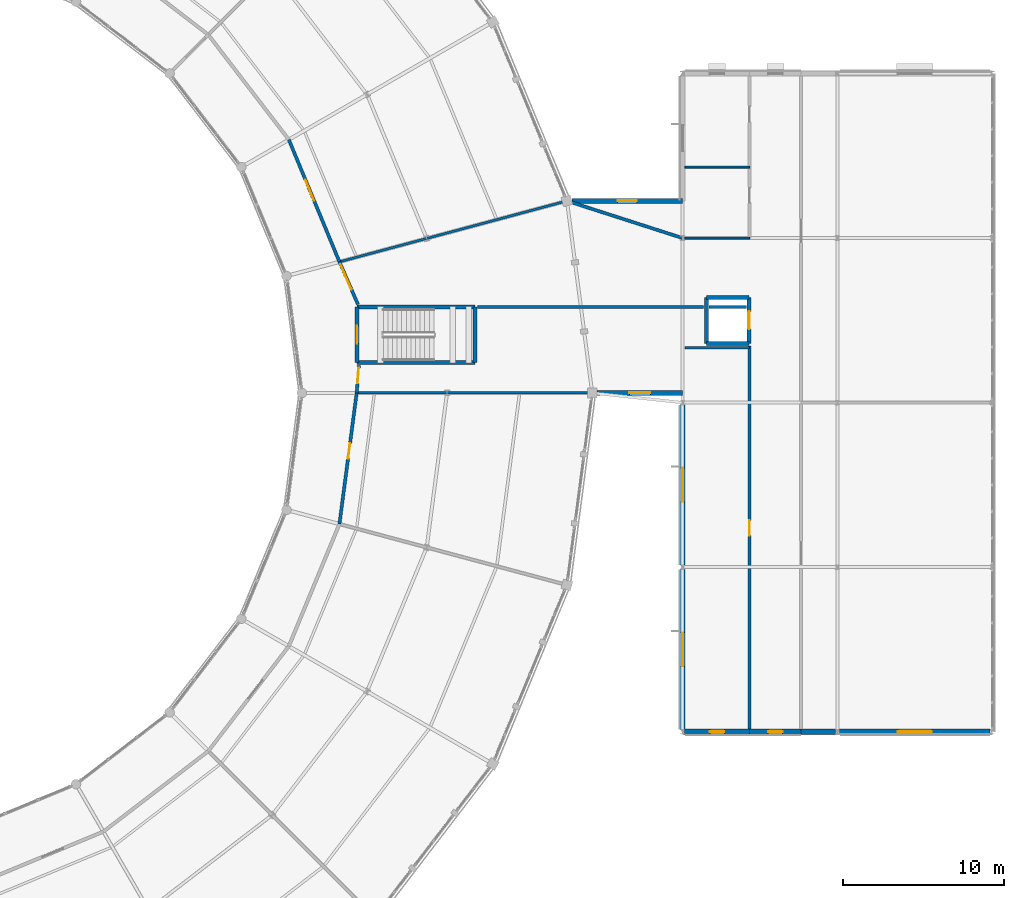
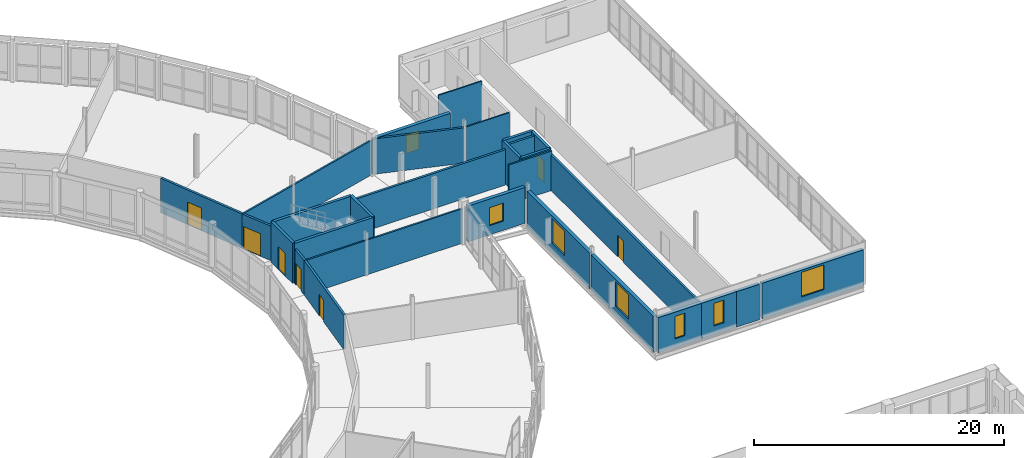
# One storey, part 148 of 170: 29 walls, 7 doors, 7 windows, 14 openings.
"""IFC4 building model written with IfcOpenShell, lengths in metres."""

import ifcopenshell
import ifcopenshell.guid

model = None  # the IFC model being written
_history = None  # IfcOwnerHistory: only IFC2X3 demands one
_inside = {}  # id of a spatial element -> (the spatial element, [elements in it])
_under = {}  # id of a project, library or spatial element -> (it, [spatial elements below it])
_declared = {}  # id of a project -> (the project, [libraries it declares])
_typed = {}  # id of a type object -> (the type object, [elements of that type])
_made_of = {}  # id of a material, layer set ... -> (it, [elements and type objects made of it])


def new_model(schema):
    """Start an empty IFC model of exactly this schema.

    Asked for "IFC4X3", IfcOpenShell would pick the latest addendum, in which some entities
    have other attributes; the version numbers below select the first issue.
    IFC2X3 requires an IfcOwnerHistory on every rooted entity: one is made here for all.
    """
    global model, _history
    if schema == "IFC4X3":
        model = ifcopenshell.file(schema_version=(4, 3, 0, 0))
    else:
        model = ifcopenshell.file(schema=schema)
    _inside.clear()
    _under.clear()
    _declared.clear()
    _typed.clear()
    _made_of.clear()
    _history = None
    if model.schema == "IFC2X3":
        org = make("IfcOrganization", Name="unknown")
        user = make(
            "IfcPersonAndOrganization",
            ThePerson=make("IfcPerson", FamilyName="unknown"),
            TheOrganization=org,
        )
        app = make(
            "IfcApplication",
            ApplicationDeveloper=org,
            Version="unknown",
            ApplicationFullName="unknown",
            ApplicationIdentifier="unknown",
        )
        _history = make(
            "IfcOwnerHistory",
            OwningUser=user,
            OwningApplication=app,
            ChangeAction="ADDED",
            CreationDate=0,
        )
    return model


def make(cls, **values):
    """One entity of the class cls with the attributes given. An attribute that is None is left unset."""
    return model.create_entity(
        cls, **{name: value for name, value in values.items() if value is not None}
    )


def rooted(cls, **values):
    """An entity with a GlobalId (a new one), such as an element, a storey or a relation."""
    return make(cls, GlobalId=ifcopenshell.guid.new(), OwnerHistory=_history, **values)


def si_unit(unit_type, name, prefix=None):
    """IfcSIUnit, for example si_unit("LENGTHUNIT", "METRE", prefix="MILLI")."""
    return make("IfcSIUnit", UnitType=unit_type, Prefix=prefix, Name=name)


def assignment(units):
    """IfcUnitAssignment: the units of a project."""
    return None if units is None else make("IfcUnitAssignment", Units=units)


def point(xyz):
    """IfcCartesianPoint."""
    return None if xyz is None else make("IfcCartesianPoint", Coordinates=xyz)


def direction(xyz):
    """IfcDirection."""
    return None if xyz is None else make("IfcDirection", DirectionRatios=xyz)


def frame(location, z_axis=None, x_axis=None):
    """IfcAxis2Placement3D, a coordinate frame: its origin and axes. An axis left out is left unset."""
    return make(
        "IfcAxis2Placement3D",
        Location=point(location),
        Axis=direction(z_axis),
        RefDirection=direction(x_axis),
    )


def frame_2d(location, x_axis=None):
    """IfcAxis2Placement2D, a coordinate frame in the plane: its origin and x axis."""
    return make(
        "IfcAxis2Placement2D", Location=point(location), RefDirection=direction(x_axis)
    )


def origin():
    """The frame at (0, 0, 0) with its axes left unset."""
    return frame((0.0, 0.0, 0.0))


def place(relative_to, where):
    """IfcLocalPlacement: puts the frame where relative to a parent placement (None: the world)."""
    return make(
        "IfcLocalPlacement", PlacementRelTo=relative_to, RelativePlacement=where
    )


def context(
    kind, dimensions, precision=None, world=None, true_north=None, identifier=None
):
    """IfcGeometricRepresentationContext, for example the 3D "Model" context."""
    return make(
        "IfcGeometricRepresentationContext",
        ContextIdentifier=identifier,
        ContextType=kind,
        CoordinateSpaceDimension=dimensions,
        Precision=precision,
        WorldCoordinateSystem=world,
        TrueNorth=true_north,
    )


def subcontext(parent, identifier, kind, view, scale=None):
    """IfcGeometricRepresentationSubContext, for example "Body" below "Model"."""
    return make(
        "IfcGeometricRepresentationSubContext",
        ContextIdentifier=identifier,
        ContextType=kind,
        ParentContext=parent,
        TargetScale=scale,
        TargetView=view,
    )


def project(units=None, contexts=None):
    """IfcProject with its units and contexts."""
    return rooted(
        "IfcProject",
        Name="project",
        RepresentationContexts=contexts,
        UnitsInContext=assignment(units),
    )


def spatial(cls, under=None, at=None, **own):
    """A site, building, storey or space (cls), placed at a placement, below another one or the project."""
    s = rooted(cls, ObjectPlacement=at, **own)
    if under is not None:
        _under.setdefault(under.id(), (under, []))[1].append(s)
    return s


def profile(cls, at=None, kind="AREA", **sizes):
    """A parametric profile (cls). Its sizes go by their IFC names, for example OverallWidth=200.0."""
    return make(cls, ProfileType=kind, Position=at, **sizes)


def rectangle(**sizes):
    """IfcRectangleProfileDef."""
    return profile("IfcRectangleProfileDef", **sizes)


def extrude(swept, where, along, depth):
    """IfcExtrudedAreaSolid: the profile swept, set in the frame where, extruded along a direction by depth."""
    return make(
        "IfcExtrudedAreaSolid",
        SweptArea=swept,
        Position=where,
        ExtrudedDirection=direction(along),
        Depth=depth,
    )


def shape(context_of_items, identifier, shape_type, items):
    """IfcShapeRepresentation: the items that make up one representation, for example the "Body"."""
    return make(
        "IfcShapeRepresentation",
        ContextOfItems=context_of_items,
        RepresentationIdentifier=identifier,
        RepresentationType=shape_type,
        Items=items,
    )


def material(Name=None, Category=None):
    """IfcMaterial."""
    return make("IfcMaterial", Name=Name, Category=Category)


def layer(
    of_material, thickness, ventilated=None, Name=None, Category=None, Priority=None
):
    """IfcMaterialLayer: one layer of a wall or slab, of a material (None: an air gap)."""
    return make(
        "IfcMaterialLayer",
        Material=of_material,
        LayerThickness=thickness,
        IsVentilated=ventilated,
        Name=Name,
        Category=Category,
        Priority=Priority,
    )


def layer_set(layers, Name=None):
    """IfcMaterialLayerSet."""
    return make("IfcMaterialLayerSet", MaterialLayers=layers, LayerSetName=Name)


def made_of(thing, what):
    """Note that an element or type object is made of a material, layer set ...; save() writes the relation."""
    if what is not None:
        _made_of.setdefault(what.id(), (what, []))[1].append(thing)
    return thing


def type_object(cls, material=None, **own):
    """A type object (cls), such as IfcWallType, which elements share."""
    return made_of(rooted(cls, **own), material)


def element(
    cls,
    number,
    at=None,
    inside=None,
    cuts=None,
    type_object=None,
    material=None,
    context=None,
    identifier="Body",
    shape_type=None,
    held_by="IfcProductDefinitionShape",
    body=None,
    shapes=None,
    **own,
):
    """One element of the class cls, such as IfcWall. Its Tag is "e" and its number.

    at: its placement. inside: the storey or other place that contains it. cuts: it is an
    opening in that element (IfcRelVoidsElement). A single representation is given by context,
    identifier, shape_type and body (its items); several are given by shapes. held_by: the class
    of the entity that holds the representations. save() writes the other relations.
    """
    e = rooted(cls, Tag="e%d" % number, ObjectPlacement=at, **own)
    if body is not None:
        shapes = [shape(context, identifier, shape_type, body)]
    if shapes is not None:
        e.Representation = make(held_by, Representations=shapes)
    if inside is not None:
        _inside.setdefault(inside.id(), (inside, []))[1].append(e)
    if cuts is not None:
        rooted(
            "IfcRelVoidsElement", RelatingBuildingElement=cuts, RelatedOpeningElement=e
        )
    if type_object is not None:
        _typed.setdefault(type_object.id(), (type_object, []))[1].append(e)
    return made_of(e, material)


def fill(opening, filler):
    """IfcRelFillsElement: the door or window that sits in an opening."""
    return rooted(
        "IfcRelFillsElement",
        RelatingOpeningElement=opening,
        RelatedBuildingElement=filler,
    )


def aggregate(whole, parts):
    """IfcRelAggregates: a whole, such as a stair, and the parts it consists of."""
    return rooted("IfcRelAggregates", RelatingObject=whole, RelatedObjects=parts)


def save(model, path):
    """Write the relations noted so far, then the file.

    IfcRelAggregates (storeys below a building ...), IfcRelContainedInSpatialStructure (elements
    in a storey), IfcRelDefinesByType, IfcRelAssociatesMaterial and IfcRelDeclares: one each for
    every whole, place, type object, material and project.
    """
    for whole, parts in _under.values():
        aggregate(whole, parts)
    for where, things in _inside.values():
        rooted(
            "IfcRelContainedInSpatialStructure",
            RelatedElements=things,
            RelatingStructure=where,
        )
    for kind, things in _typed.values():
        rooted("IfcRelDefinesByType", RelatedObjects=things, RelatingType=kind)
    for what, things in _made_of.values():
        rooted("IfcRelAssociatesMaterial", RelatedObjects=things, RelatingMaterial=what)
    for by, libraries in _declared.values():
        rooted("IfcRelDeclares", RelatingContext=by, RelatedDefinitions=libraries)
    model.write(path)


model = new_model("IFC4")

# Units and contexts
model_context = context("Model", 3, precision=1e-05, world=origin(), true_north=direction((0.0, 1.0)))
body_context = subcontext(model_context, "Body", "Model", "MODEL_VIEW")
ifc_project = project(units=[si_unit("LENGTHUNIT", "METRE"), si_unit("AREAUNIT", "SQUARE_METRE"), si_unit("VOLUMEUNIT", "CUBIC_METRE"), si_unit("PLANEANGLEUNIT", "RADIAN"), si_unit("MASSUNIT", "GRAM", prefix="KILO")], contexts=[model_context])

# Site, building, storey
site_placement = place(None, origin())
site = spatial("IfcSite", under=ifc_project, at=site_placement, CompositionType="ELEMENT")
building_placement = place(site_placement, origin())
building = spatial("IfcBuilding", under=site, at=building_placement, Name="Vondelvale Polytechnic", CompositionType="ELEMENT")
storey_placement = place(building_placement, frame((0.0, 0.0, 5.39990234375)))
storey = spatial("IfcBuildingStorey", under=building, at=storey_placement, Name="L01", CompositionType="ELEMENT", Elevation=5.39990234375)

# Wall, opening, window
ifc_material_1 = material(Name="Amsterdam School iron-spot clinker clay brickwork", Category="masonry")
ifc_layer_1 = layer(ifc_material_1, 0.320068359375)
ifc_layer_set_1 = layer_set([ifc_layer_1], Name="WL-BRICK-320")
wall_type_1 = type_object("IfcWallType", Name="WL-BRICK-320", PredefinedType="SOLIDWALL", material=ifc_layer_set_1)
wall_1_placement = place(storey_placement, frame((157.75, 51.0, 0.0), z_axis=(0.0, 0.0, 1.0), x_axis=(-1.0, 0.0, 0.0)))
wall_1 = element("IfcWall", 1, at=wall_1_placement, inside=storey, type_object=wall_type_1, Name="L01 exterior masonry facade wall", PredefinedType="SOLIDWALL", context=body_context, shape_type="SweptSolid", body=[
    extrude(rectangle(XDim=4.01904296875, YDim=0.320068359375, at=frame_2d((2.009521484375, 0.0))), origin(), (0.0, 0.0, 1.0), 3.460205078125),
])
opening_1_placement = place(wall_1_placement, frame((1.5595703125, 0.0, 0.85009765625)))
opening_1 = element("IfcOpeningElement", 2, at=opening_1_placement, cuts=wall_1, Name="Opening WN-0472", PredefinedType="OPENING", context=body_context, shape_type="SweptSolid", body=[
    extrude(rectangle(XDim=0.89990234375, YDim=2.199951171875, at=frame_2d((0.449951171875, 1.10009765625))), frame((0.0, 0.169921875, 0.0), z_axis=(0.0, -1.0, 0.0), x_axis=(1.0, 0.0, 0.0)), (0.0, 0.0, 1.0), 0.340087890625),
])
ifc_material_2 = material(Name="Double-glazed low-E insulated architectural glass", Category="glass")
window_type_1 = type_object("IfcWindowType", Name="WN-TUR-0900x2200", PartitioningType="SINGLE_PANEL", PredefinedType="WINDOW", material=ifc_material_2)
window_1_placement = place(opening_1_placement, origin())
window_1 = element("IfcWindow", 3, at=window_1_placement, inside=storey, type_object=window_type_1, Name="L01 double-glazed architectural window WN-0472", OverallHeight=2.199951171875, OverallWidth=0.89990234375, PartitioningType="SINGLE_PANEL", PredefinedType="WINDOW", context=body_context, shape_type="SweptSolid", body=[
    extrude(rectangle(XDim=0.89990234375, YDim=2.199951171875, at=frame_2d((0.449951171875, 1.10009765625))), frame((0.0, 0.030029296875, 0.0), z_axis=(0.0, -1.0, 0.0), x_axis=(1.0, 0.0, 0.0)), (0.0, 0.0, 1.0), 0.06005859375),
])
fill(opening_1, window_1)

wall_2_placement = place(storey_placement, frame((160.949951171875, 51.0, 0.0), z_axis=(0.0, 0.0, 1.0), x_axis=(-1.0, 0.0, 0.0)))
wall_2 = element("IfcWall", 4, at=wall_2_placement, inside=storey, type_object=wall_type_1, Name="L01 exterior masonry facade wall", PredefinedType="SOLIDWALL", context=body_context, shape_type="SweptSolid", body=[
    extrude(rectangle(XDim=3.199951171875, YDim=0.320068359375, at=frame_2d((1.60009765625, 0.0))), origin(), (0.0, 0.0, 1.0), 3.460205078125),
])
opening_2_placement = place(wall_2_placement, frame((1.14990234375, 0.0, 0.85009765625)))
opening_2 = element("IfcOpeningElement", 5, at=opening_2_placement, cuts=wall_2, Name="Opening WN-0473", PredefinedType="OPENING", context=body_context, shape_type="SweptSolid", body=[
    extrude(rectangle(XDim=0.89990234375, YDim=2.199951171875, at=frame_2d((0.449951171875, 1.10009765625))), frame((0.0, 0.169921875, 0.0), z_axis=(0.0, -1.0, 0.0), x_axis=(1.0, 0.0, 0.0)), (0.0, 0.0, 1.0), 0.340087890625),
])
window_2_placement = place(opening_2_placement, origin())
window_2 = element("IfcWindow", 6, at=window_2_placement, inside=storey, type_object=window_type_1, Name="L01 double-glazed architectural window WN-0473", OverallHeight=2.199951171875, OverallWidth=0.89990234375, PartitioningType="SINGLE_PANEL", PredefinedType="WINDOW", context=body_context, shape_type="SweptSolid", body=[
    extrude(rectangle(XDim=0.89990234375, YDim=2.199951171875, at=frame_2d((0.449951171875, 1.10009765625))), frame((0.0, 0.030029296875, 0.0), z_axis=(0.0, -1.0, 0.0), x_axis=(1.0, 0.0, 0.0)), (0.0, 0.0, 1.0), 0.06005859375),
])
fill(opening_2, window_2)

wall_3_placement = place(storey_placement, frame((172.6689453125, 51.0, 0.0), z_axis=(0.0, 0.0, 1.0), x_axis=(-1.0, 0.0, 0.0)))
wall_3 = element("IfcWall", 7, at=wall_3_placement, inside=storey, type_object=wall_type_1, Name="L01 exterior masonry facade wall", PredefinedType="SOLIDWALL", context=body_context, shape_type="SweptSolid", body=[
    extrude(rectangle(XDim=9.337890625, YDim=0.320068359375, at=frame_2d((4.6689453125, 0.0))), origin(), (0.0, 0.0, 1.0), 3.460205078125),
])
opening_3_placement = place(wall_3_placement, frame((3.618896484375, 0.0, 0.85009765625)))
opening_3 = element("IfcOpeningElement", 8, at=opening_3_placement, cuts=wall_3, Name="Opening WN-0474", PredefinedType="OPENING", context=body_context, shape_type="SweptSolid", body=[
    extrude(rectangle(XDim=2.10009765625, YDim=2.39990234375, at=frame_2d((1.050048828125, 1.199951171875))), frame((0.0, 0.169921875, 0.0), z_axis=(0.0, -1.0, 0.0), x_axis=(1.0, 0.0, 0.0)), (0.0, 0.0, 1.0), 0.340087890625),
])
window_type_2 = type_object("IfcWindowType", Name="WN-STUDIO-2100x2400", PartitioningType="SINGLE_PANEL", PredefinedType="WINDOW", material=ifc_material_2)
window_3_placement = place(opening_3_placement, origin())
window_3 = element("IfcWindow", 9, at=window_3_placement, inside=storey, type_object=window_type_2, Name="L01 double-glazed architectural window WN-0474", OverallHeight=2.39990234375, OverallWidth=2.10009765625, PartitioningType="SINGLE_PANEL", PredefinedType="WINDOW", context=body_context, shape_type="SweptSolid", body=[
    extrude(rectangle(XDim=2.10009765625, YDim=2.39990234375, at=frame_2d((1.050048828125, 1.199951171875))), frame((0.0, 0.030029296875, 0.0), z_axis=(0.0, -1.0, 0.0), x_axis=(1.0, 0.0, 0.0)), (0.0, 0.0, 1.0), 0.06005859375),
])
fill(opening_3, window_3)

# Wall
wall_4_placement = place(storey_placement, frame((163.069091796875, 51.0, 0.0), z_axis=(0.0, 0.0, 1.0), x_axis=(-1.0, 0.0, 0.0)))
element("IfcWall", 10, at=wall_4_placement, inside=storey, type_object=wall_type_1, Name="L01 exterior masonry facade wall", PredefinedType="SOLIDWALL", context=body_context, shape_type="SweptSolid", body=[
    extrude(rectangle(XDim=2.119140625, YDim=0.320068359375, at=frame_2d((1.0595703125, 0.0))), origin(), (0.0, 0.0, 1.0), 3.460205078125),
])

# Wall, opening, window
wall_5_placement = place(storey_placement, frame((153.60009765625, 51.131103515625, 0.0), z_axis=(0.0, 0.0, 1.0), x_axis=(0.0, 1.0, 0.0)))
wall_5 = element("IfcWall", 11, at=wall_5_placement, inside=storey, type_object=wall_type_1, Name="L01 exterior masonry facade wall", PredefinedType="SOLIDWALL", context=body_context, shape_type="SweptSolid", body=[
    extrude(rectangle(XDim=9.93798828125, YDim=0.320068359375, at=frame_2d((4.968994140625, 0.0))), origin(), (0.0, 0.0, 1.0), 3.51416015625),
])
opening_4_placement = place(wall_5_placement, frame((3.9189453125, 0.0, 0.85009765625)))
opening_4 = element("IfcOpeningElement", 12, at=opening_4_placement, cuts=wall_5, Name="Opening WN-0475", PredefinedType="OPENING", context=body_context, shape_type="SweptSolid", body=[
    extrude(rectangle(XDim=2.10009765625, YDim=2.39990234375, at=frame_2d((1.050048828125, 1.199951171875))), frame((0.0, 0.169921875, 0.0), z_axis=(0.0, -1.0, 0.0), x_axis=(1.0, 0.0, 0.0)), (0.0, 0.0, 1.0), 0.340087890625),
])
window_4_placement = place(opening_4_placement, origin())
window_4 = element("IfcWindow", 13, at=window_4_placement, inside=storey, type_object=window_type_2, Name="L01 double-glazed architectural window WN-0475", OverallHeight=2.39990234375, OverallWidth=2.10009765625, PartitioningType="SINGLE_PANEL", PredefinedType="WINDOW", context=body_context, shape_type="SweptSolid", body=[
    extrude(rectangle(XDim=2.10009765625, YDim=2.39990234375, at=frame_2d((1.050048828125, 1.199951171875))), frame((0.0, 0.030029296875, 0.0), z_axis=(0.0, -1.0, 0.0), x_axis=(1.0, 0.0, 0.0)), (0.0, 0.0, 1.0), 0.06005859375),
])
fill(opening_4, window_4)

wall_6_placement = place(storey_placement, frame((153.60009765625, 61.3310546875, 0.0), z_axis=(0.0, 0.0, 1.0), x_axis=(0.0, 1.0, 0.0)))
wall_6 = element("IfcWall", 14, at=wall_6_placement, inside=storey, type_object=wall_type_1, Name="L01 exterior masonry facade wall", PredefinedType="SOLIDWALL", context=body_context, shape_type="SweptSolid", body=[
    extrude(rectangle(XDim=9.93798828125, YDim=0.320068359375, at=frame_2d((4.968994140625, 0.0))), origin(), (0.0, 0.0, 1.0), 3.51416015625),
])
opening_5_placement = place(wall_6_placement, frame((3.9189453125, 0.0, 0.85009765625)))
opening_5 = element("IfcOpeningElement", 15, at=opening_5_placement, cuts=wall_6, Name="Opening WN-0476", PredefinedType="OPENING", context=body_context, shape_type="SweptSolid", body=[
    extrude(rectangle(XDim=2.10009765625, YDim=2.39990234375, at=frame_2d((1.050048828125, 1.199951171875))), frame((0.0, 0.169921875, 0.0), z_axis=(0.0, -1.0, 0.0), x_axis=(1.0, 0.0, 0.0)), (0.0, 0.0, 1.0), 0.340087890625),
])
window_5_placement = place(opening_5_placement, origin())
window_5 = element("IfcWindow", 16, at=window_5_placement, inside=storey, type_object=window_type_2, Name="L01 double-glazed architectural window WN-0476", OverallHeight=2.39990234375, OverallWidth=2.10009765625, PartitioningType="SINGLE_PANEL", PredefinedType="WINDOW", context=body_context, shape_type="SweptSolid", body=[
    extrude(rectangle(XDim=2.10009765625, YDim=2.39990234375, at=frame_2d((1.050048828125, 1.199951171875))), frame((0.0, 0.030029296875, 0.0), z_axis=(0.0, -1.0, 0.0), x_axis=(1.0, 0.0, 0.0)), (0.0, 0.0, 1.0), 0.06005859375),
])
fill(opening_5, window_5)

wall_7_placement = place(storey_placement, frame((153.60009765625, 72.0, 0.0), z_axis=(0.0, 0.0, 1.0), x_axis=(-1.0, 0.0, 0.0)))
wall_7 = element("IfcWall", 17, at=wall_7_placement, inside=storey, type_object=wall_type_1, Name="L01 exterior masonry facade wall", PredefinedType="SOLIDWALL", context=body_context, shape_type="SweptSolid", body=[
    extrude(rectangle(XDim=5.299072265625, YDim=0.320068359375, at=frame_2d((2.6494140625, 0.0))), origin(), (0.0, 0.0, 1.0), 3.494140625),
])
opening_6_placement = place(wall_7_placement, frame((1.99951171875, 0.0, 0.89990234375)))
opening_6 = element("IfcOpeningElement", 18, at=opening_6_placement, cuts=wall_7, Name="Opening WN-0478", PredefinedType="OPENING", context=body_context, shape_type="SweptSolid", body=[
    extrude(rectangle(XDim=1.300048828125, YDim=1.75, at=frame_2d((0.64990234375, 0.875))), frame((0.0, 0.169921875, 0.0), z_axis=(0.0, -1.0, 0.0), x_axis=(1.0, 0.0, 0.0)), (0.0, 0.0, 1.0), 0.340087890625),
])
window_type_3 = type_object("IfcWindowType", Name="WN-OFF-1300x1750", PartitioningType="SINGLE_PANEL", PredefinedType="WINDOW", material=ifc_material_2)
window_6_placement = place(opening_6_placement, origin())
window_6 = element("IfcWindow", 19, at=window_6_placement, inside=storey, type_object=window_type_3, Name="L01 double-glazed architectural window WN-0478", OverallHeight=1.75, OverallWidth=1.300048828125, PartitioningType="SINGLE_PANEL", PredefinedType="WINDOW", context=body_context, shape_type="SweptSolid", body=[
    extrude(rectangle(XDim=1.300048828125, YDim=1.75, at=frame_2d((0.64990234375, 0.875))), frame((0.0, 0.030029296875, 0.0), z_axis=(0.0, -1.0, 0.0), x_axis=(1.0, 0.0, 0.0)), (0.0, 0.0, 1.0), 0.06005859375),
])
fill(opening_6, window_6)

wall_8_placement = place(storey_placement, frame((146.744140625, 83.90576171875, 0.0), z_axis=(0.0, 0.0, 1.0), x_axis=(1.0, 0.0, 0.0)))
wall_8 = element("IfcWall", 20, at=wall_8_placement, inside=storey, type_object=wall_type_1, Name="L01 exterior masonry facade wall", PredefinedType="SOLIDWALL", context=body_context, shape_type="SweptSolid", body=[
    extrude(rectangle(XDim=6.85595703125, YDim=0.320068359375, at=frame_2d((3.427978515625, 0.0))), origin(), (0.0, 0.0, 1.0), 3.494140625),
])
opening_7_placement = place(wall_8_placement, frame((2.827880859375, 0.0, 0.89990234375)))
opening_7 = element("IfcOpeningElement", 21, at=opening_7_placement, cuts=wall_8, Name="Opening WN-0479", PredefinedType="OPENING", context=body_context, shape_type="SweptSolid", body=[
    extrude(rectangle(XDim=1.199951171875, YDim=1.800048828125, at=frame_2d((0.60009765625, 0.89990234375))), frame((0.0, 0.169921875, 0.0), z_axis=(0.0, -1.0, 0.0), x_axis=(1.0, 0.0, 0.0)), (0.0, 0.0, 1.0), 0.340087890625),
])
window_type_4 = type_object("IfcWindowType", Name="WN-OFF-1200x1800", PartitioningType="SINGLE_PANEL", PredefinedType="WINDOW", material=ifc_material_2)
window_7_placement = place(opening_7_placement, origin())
window_7 = element("IfcWindow", 22, at=window_7_placement, inside=storey, type_object=window_type_4, Name="L01 double-glazed architectural window WN-0479", OverallHeight=1.800048828125, OverallWidth=1.199951171875, PartitioningType="SINGLE_PANEL", PredefinedType="WINDOW", context=body_context, shape_type="SweptSolid", body=[
    extrude(rectangle(XDim=1.199951171875, YDim=1.800048828125, at=frame_2d((0.60009765625, 0.89990234375))), frame((0.0, 0.030029296875, 0.0), z_axis=(0.0, -1.0, 0.0), x_axis=(1.0, 0.0, 0.0)), (0.0, 0.0, 1.0), 0.06005859375),
])
fill(opening_7, window_7)

# Walls
ifc_material_3 = material(Name="Concrete N40 (f'c = 40 MPa)", Category="concrete")
ifc_layer_2 = layer(ifc_material_3, 0.25)
ifc_layer_set_2 = layer_set([ifc_layer_2], Name="WL-CORE-250")
wall_type_2 = type_object("IfcWallType", Name="WL-CORE-250", PredefinedType="SOLIDWALL", material=ifc_layer_set_2)
wall_9_placement = place(storey_placement, frame((133.425048828125, 73.875, 0.0), z_axis=(0.0, 0.0, 1.0), x_axis=(1.0, 0.0, 0.0)))
element("IfcWall", 23, at=wall_9_placement, inside=storey, type_object=wall_type_2, Name="L01 ST-08 reinforced concrete stair core wall", PredefinedType="SOLIDWALL", context=body_context, shape_type="SweptSolid", body=[
    extrude(rectangle(XDim=7.300048828125, YDim=0.25, at=frame_2d((3.64990234375, 0.0))), origin(), (0.0, 0.0, 1.0), 3.920166015625),
])
wall_10_placement = place(storey_placement, frame((140.72509765625, 73.875, 0.0), z_axis=(0.0, 0.0, 1.0), x_axis=(0.0, 1.0, 0.0)))
element("IfcWall", 24, at=wall_10_placement, inside=storey, type_object=wall_type_2, Name="L01 ST-08 reinforced concrete stair core wall", PredefinedType="SOLIDWALL", context=body_context, shape_type="SweptSolid", body=[
    extrude(rectangle(XDim=3.449951171875, YDim=0.25, at=frame_2d((1.72509765625, 0.0))), origin(), (0.0, 0.0, 1.0), 3.920166015625),
])
wall_11_placement = place(storey_placement, frame((140.72509765625, 77.324951171875, 0.0), z_axis=(0.0, 0.0, 1.0), x_axis=(-1.0, 0.0, 0.0)))
element("IfcWall", 25, at=wall_11_placement, inside=storey, type_object=wall_type_2, Name="L01 ST-08 reinforced concrete stair core wall", PredefinedType="SOLIDWALL", context=body_context, shape_type="SweptSolid", body=[
    extrude(rectangle(XDim=7.300048828125, YDim=0.25, at=frame_2d((3.64990234375, 0.0))), origin(), (0.0, 0.0, 1.0), 3.920166015625),
])

# Wall, opening, door
wall_12_placement = place(storey_placement, frame((133.425048828125, 77.324951171875, 0.0), z_axis=(0.0, 0.0, 1.0), x_axis=(0.0, -1.0, 0.0)))
wall_12 = element("IfcWall", 26, at=wall_12_placement, inside=storey, type_object=wall_type_2, Name="L01 ST-08 reinforced concrete stair core wall", PredefinedType="SOLIDWALL", context=body_context, shape_type="SweptSolid", body=[
    extrude(rectangle(XDim=3.449951171875, YDim=0.25, at=frame_2d((1.72509765625, 0.0))), origin(), (0.0, 0.0, 1.0), 3.920166015625),
])
opening_8_placement = place(wall_12_placement, frame((1.175048828125, 0.0, 0.0)))
opening_8 = element("IfcOpeningElement", 27, at=opening_8_placement, cuts=wall_12, Name="Opening SD-046", PredefinedType="OPENING", context=body_context, shape_type="SweptSolid", body=[
    extrude(rectangle(XDim=1.10009765625, YDim=2.199951171875, at=frame_2d((0.550048828125, 1.10009765625))), frame((0.0, 0.135009765625, 0.0), z_axis=(0.0, -1.0, 0.0), x_axis=(1.0, 0.0, 0.0)), (0.0, 0.0, 1.0), 0.27001953125),
])
ifc_material_4 = material(Name="Brushed architectural stainless and zinc-coated metal")
door_type_1 = type_object("IfcDoorType", Name="DR-STAIR-1100x2200", OperationType="SINGLE_SWING_LEFT", PredefinedType="DOOR", material=ifc_material_4)
door_1_placement = place(opening_8_placement, origin())
door_1 = element("IfcDoor", 28, at=door_1_placement, inside=storey, type_object=door_type_1, Name="L01 ST-08 fire-isolated stair door", OperationType="SINGLE_SWING_RIGHT", OverallHeight=2.199951171875, OverallWidth=1.10009765625, PredefinedType="DOOR", context=body_context, shape_type="SweptSolid", body=[
    extrude(rectangle(XDim=1.10009765625, YDim=2.199951171875, at=frame_2d((0.550048828125, 1.10009765625))), frame((0.0, 0.02490234375, 0.0), z_axis=(0.0, -1.0, 0.0), x_axis=(1.0, 0.0, 0.0)), (0.0, 0.0, 1.0), 0.050048828125),
])
fill(opening_8, door_1)

ifc_material_5 = material(Name="Fire-rated double-layer plasterboard stud partition")
ifc_layer_3 = layer(ifc_material_5, 0.199951171875)
ifc_layer_set_3 = layer_set([ifc_layer_3], Name="WL-CORR-200")
wall_type_3 = type_object("IfcWallType", Name="WL-CORR-200", PredefinedType="PARTITIONING", material=ifc_layer_set_3)
wall_13_placement = place(storey_placement, frame((133.39990234375, 72.0, 0.0), z_axis=(0.0, 0.0, 1.0), x_axis=(0.07984138391, 0.996807580938, 0.0)))
wall_13 = element("IfcWall", 29, at=wall_13_placement, inside=storey, type_object=wall_type_3, Name="L01 interior acoustic partition", PredefinedType="PARTITIONING", context=body_context, shape_type="SweptSolid", body=[
    extrude(rectangle(XDim=1.71533203125, YDim=0.199951171875, at=frame_2d((0.857666015625, 0.0))), origin(), (0.0, 0.0, 1.0), 3.3720703125),
])
opening_9_placement = place(wall_13_placement, frame((0.60546875, 0.0, 0.0)))
opening_9 = element("IfcOpeningElement", 30, at=opening_9_placement, cuts=wall_13, Name="Opening ID-0304", PredefinedType="OPENING", context=body_context, shape_type="SweptSolid", body=[
    extrude(rectangle(XDim=0.949951171875, YDim=2.10009765625, at=frame_2d((0.47509765625, 1.050048828125))), frame((0.0, 0.10986328125, 0.0), z_axis=(0.0, -1.0, 0.0), x_axis=(1.0, 0.0, 0.0)), (0.0, 0.0, 1.0), 0.219970703125),
])
ifc_material_6 = material(Name="Fire-rated solid Tasmanian oak joinery")
door_type_2 = type_object("IfcDoorType", Name="DR-INT-0950x2100", OperationType="SINGLE_SWING_LEFT", PredefinedType="DOOR", material=ifc_material_6)
door_2_placement = place(opening_9_placement, origin())
door_2 = element("IfcDoor", 31, at=door_2_placement, inside=storey, type_object=door_type_2, Name="L01 interior room door ID-0304", OperationType="SINGLE_SWING_RIGHT", OverallHeight=2.10009765625, OverallWidth=0.949951171875, PredefinedType="DOOR", context=body_context, shape_type="SweptSolid", body=[
    extrude(rectangle(XDim=0.949951171875, YDim=2.10009765625, at=frame_2d((0.47509765625, 1.050048828125))), frame((0.0, 0.02490234375, 0.0), z_axis=(0.0, -1.0, 0.0), x_axis=(1.0, 0.0, 0.0)), (0.0, 0.0, 1.0), 0.050048828125),
])
fill(opening_9, door_2)

wall_14_placement = place(storey_placement, frame((133.478271484375, 77.489990234375, 0.0), z_axis=(0.0, 0.0, 1.0), x_axis=(-0.399219580964, 0.916855346374, 0.0)))
wall_14 = element("IfcWall", 32, at=wall_14_placement, inside=storey, type_object=wall_type_3, Name="L01 interior acoustic partition", PredefinedType="PARTITIONING", context=body_context, shape_type="SweptSolid", body=[
    extrude(rectangle(XDim=2.8759765625, YDim=0.199951171875, at=frame_2d((1.43798828125, 0.0))), origin(), (0.0, 0.0, 1.0), 3.3720703125),
])
opening_10_placement = place(wall_14_placement, frame((1.01611328125, 0.0, 0.0)))
opening_10 = element("IfcOpeningElement", 33, at=opening_10_placement, cuts=wall_14, Name="Opening ID-0305", PredefinedType="OPENING", context=body_context, shape_type="SweptSolid", body=[
    extrude(rectangle(XDim=1.699951171875, YDim=2.199951171875, at=frame_2d((0.85009765625, 1.10009765625))), frame((0.0, 0.10986328125, 0.0), z_axis=(0.0, -1.0, 0.0), x_axis=(1.0, 0.0, 0.0)), (0.0, 0.0, 1.0), 0.219970703125),
])
door_type_3 = type_object("IfcDoorType", Name="DR-COR-1700x2200", OperationType="DOUBLE_DOOR_SINGLE_SWING", PredefinedType="DOOR", material=ifc_material_6)
door_3_placement = place(opening_10_placement, origin())
door_3 = element("IfcDoor", 34, at=door_3_placement, inside=storey, type_object=door_type_3, Name="L01 interior room door ID-0305", OperationType="DOUBLE_DOOR_SINGLE_SWING", OverallHeight=2.199951171875, OverallWidth=1.699951171875, PredefinedType="DOOR", context=body_context, shape_type="SweptSolid", body=[
    extrude(rectangle(XDim=1.699951171875, YDim=2.199951171875, at=frame_2d((0.85009765625, 1.10009765625))), frame((0.0, 0.02490234375, 0.0), z_axis=(0.0, -1.0, 0.0), x_axis=(1.0, 0.0, 0.0)), (0.0, 0.0, 1.0), 0.050048828125),
])
fill(opening_10, door_3)

# Walls
wall_15_placement = place(storey_placement, frame((140.889892578125, 77.324951171875, 0.0), z_axis=(0.0, 0.0, 1.0), x_axis=(1.0, 0.0, 0.0)))
element("IfcWall", 35, at=wall_15_placement, inside=storey, type_object=wall_type_3, Name="L01 interior acoustic partition", PredefinedType="PARTITIONING", context=body_context, shape_type="SweptSolid", body=[
    extrude(rectangle(XDim=14.02001953125, YDim=0.199951171875, at=frame_2d((7.010009765625, 0.0))), origin(), (0.0, 0.0, 1.0), 3.443115234375),
])
wall_16_placement = place(storey_placement, frame((155.239990234375, 77.324951171875, 0.0), z_axis=(0.0, 0.0, 1.0), x_axis=(1.0, 0.0, 0.0)))
element("IfcWall", 36, at=wall_16_placement, inside=storey, type_object=wall_type_3, Name="L01 interior acoustic partition", PredefinedType="PARTITIONING", context=body_context, shape_type="SweptSolid", body=[
    extrude(rectangle(XDim=2.320068359375, YDim=0.199951171875, at=frame_2d((1.16015625, 0.0))), origin(), (0.0, 0.0, 1.0), 3.85009765625),
])
wall_17_placement = place(storey_placement, frame((146.4326171875, 83.90576171875, 0.0), z_axis=(0.0, 0.0, 1.0), x_axis=(0.951957686255, -0.306229592921, 0.0)))
element("IfcWall", 37, at=wall_17_placement, inside=storey, type_object=wall_type_3, Name="L01 interior acoustic partition", PredefinedType="PARTITIONING", context=body_context, shape_type="SweptSolid", body=[
    extrude(rectangle(XDim=7.529296875, YDim=0.199951171875, at=frame_2d((3.7646484375, 0.0))), origin(), (0.0, 0.0, 1.0), 3.443115234375),
])

# Wall, opening, door
wall_18_placement = place(storey_placement, frame((157.75, 51.14990234375, 0.0), z_axis=(0.0, 0.0, 1.0), x_axis=(0.0, 1.0, 0.0)))
wall_18 = element("IfcWall", 38, at=wall_18_placement, inside=storey, type_object=wall_type_3, Name="L01 interior acoustic partition", PredefinedType="PARTITIONING", context=body_context, shape_type="SweptSolid", body=[
    extrude(rectangle(XDim=23.760009765625, YDim=0.199951171875, at=frame_2d((11.8798828125, 0.0))), origin(), (0.0, 0.0, 1.0), 3.440185546875),
])
opening_11_placement = place(wall_18_placement, frame((12.0, 0.0, 0.0)))
opening_11 = element("IfcOpeningElement", 39, at=opening_11_placement, cuts=wall_18, Name="Opening ID-0308", PredefinedType="OPENING", context=body_context, shape_type="SweptSolid", body=[
    extrude(rectangle(XDim=0.949951171875, YDim=2.10009765625, at=frame_2d((0.47509765625, 1.050048828125))), frame((0.0, 0.10986328125, 0.0), z_axis=(0.0, -1.0, 0.0), x_axis=(1.0, 0.0, 0.0)), (0.0, 0.0, 1.0), 0.219970703125),
])
door_4_placement = place(opening_11_placement, origin())
door_4 = element("IfcDoor", 40, at=door_4_placement, inside=storey, type_object=door_type_2, Name="L01 interior room door ID-0308", OperationType="SINGLE_SWING_RIGHT", OverallHeight=2.10009765625, OverallWidth=0.949951171875, PredefinedType="DOOR", context=body_context, shape_type="SweptSolid", body=[
    extrude(rectangle(XDim=0.949951171875, YDim=2.10009765625, at=frame_2d((0.47509765625, 1.050048828125))), frame((0.0, 0.02490234375, 0.0), z_axis=(0.0, -1.0, 0.0), x_axis=(1.0, 0.0, 0.0)), (0.0, 0.0, 1.0), 0.050048828125),
])
fill(opening_11, door_4)

wall_19_placement = place(storey_placement, frame((132.330078125, 63.873046875, 0.0), z_axis=(0.0, 0.0, 1.0), x_axis=(0.130513066404, 0.991446589332, 0.0)))
wall_19 = element("IfcWall", 41, at=wall_19_placement, inside=storey, type_object=wall_type_3, Name="L01 interior acoustic partition", PredefinedType="PARTITIONING", context=body_context, shape_type="SweptSolid", body=[
    extrude(rectangle(XDim=8.197021484375, YDim=0.199951171875, at=frame_2d((4.0986328125, 0.0))), origin(), (0.0, 0.0, 1.0), 3.3720703125),
])
opening_12_placement = place(wall_19_placement, frame((4.10009765625, 0.0, 0.0)))
opening_12 = element("IfcOpeningElement", 42, at=opening_12_placement, cuts=wall_19, Name="Opening ID-0313", PredefinedType="OPENING", context=body_context, shape_type="SweptSolid", body=[
    extrude(rectangle(XDim=0.949951171875, YDim=2.10009765625, at=frame_2d((0.47509765625, 1.050048828125))), frame((0.0, 0.10986328125, 0.0), z_axis=(0.0, -1.0, 0.0), x_axis=(1.0, 0.0, 0.0)), (0.0, 0.0, 1.0), 0.219970703125),
])
door_5_placement = place(opening_12_placement, origin())
door_5 = element("IfcDoor", 43, at=door_5_placement, inside=storey, type_object=door_type_2, Name="L01 interior room door ID-0313", OperationType="SINGLE_SWING_LEFT", OverallHeight=2.10009765625, OverallWidth=0.949951171875, PredefinedType="DOOR", context=body_context, shape_type="SweptSolid", body=[
    extrude(rectangle(XDim=0.949951171875, YDim=2.10009765625, at=frame_2d((0.47509765625, 1.050048828125))), frame((0.0, 0.02490234375, 0.0), z_axis=(0.0, -1.0, 0.0), x_axis=(1.0, 0.0, 0.0)), (0.0, 0.0, 1.0), 0.050048828125),
])
fill(opening_12, door_5)

wall_20_placement = place(storey_placement, frame((132.330078125, 80.126953125, 0.0), z_axis=(0.0, 0.0, 1.0), x_axis=(-0.382696385238, 0.923874167149, 0.0)))
wall_20 = element("IfcWall", 44, at=wall_20_placement, inside=storey, type_object=wall_type_3, Name="L01 interior acoustic partition", PredefinedType="PARTITIONING", context=body_context, shape_type="SweptSolid", body=[
    extrude(rectangle(XDim=8.197021484375, YDim=0.199951171875, at=frame_2d((4.0986328125, 0.0))), origin(), (0.0, 0.0, 1.0), 3.3720703125),
])
opening_13_placement = place(wall_20_placement, frame((4.10009765625, 0.0, 0.0)))
opening_13 = element("IfcOpeningElement", 45, at=opening_13_placement, cuts=wall_20, Name="Opening ID-0314", PredefinedType="OPENING", context=body_context, shape_type="SweptSolid", body=[
    extrude(rectangle(XDim=1.39990234375, YDim=2.199951171875, at=frame_2d((0.699951171875, 1.10009765625))), frame((0.0, 0.10986328125, 0.0), z_axis=(0.0, -1.0, 0.0), x_axis=(1.0, 0.0, 0.0)), (0.0, 0.0, 1.0), 0.219970703125),
])
door_type_4 = type_object("IfcDoorType", Name="DR-LAB-1400x2200", OperationType="DOUBLE_DOOR_SINGLE_SWING", PredefinedType="DOOR", material=ifc_material_6)
door_6_placement = place(opening_13_placement, origin())
door_6 = element("IfcDoor", 46, at=door_6_placement, inside=storey, type_object=door_type_4, Name="L01 interior room door ID-0314", OperationType="DOUBLE_DOOR_SINGLE_SWING", OverallHeight=2.199951171875, OverallWidth=1.39990234375, PredefinedType="DOOR", context=body_context, shape_type="SweptSolid", body=[
    extrude(rectangle(XDim=1.39990234375, YDim=2.199951171875, at=frame_2d((0.699951171875, 1.10009765625))), frame((0.0, 0.02490234375, 0.0), z_axis=(0.0, -1.0, 0.0), x_axis=(1.0, 0.0, 0.0)), (0.0, 0.0, 1.0), 0.050048828125),
])
fill(opening_13, door_6)

# Walls
ifc_layer_4 = layer(ifc_material_5, 0.1201171875)
ifc_layer_set_4 = layer_set([ifc_layer_4], Name="WL-INT-120")
wall_type_4 = type_object("IfcWallType", Name="WL-INT-120", PredefinedType="PARTITIONING", material=ifc_layer_set_4)
wall_21_placement = place(storey_placement, frame((153.75, 81.60009765625, 0.0), z_axis=(0.0, 0.0, 1.0), x_axis=(1.0, 0.0, 0.0)))
element("IfcWall", 47, at=wall_21_placement, inside=storey, type_object=wall_type_4, Name="L01 interior acoustic partition", PredefinedType="PARTITIONING", context=body_context, shape_type="SweptSolid", body=[
    extrude(rectangle(XDim=4.0, YDim=0.1201171875, at=frame_2d((2.0, 0.0))), origin(), (0.0, 0.0, 1.0), 3.440185546875),
])
wall_22_placement = place(storey_placement, frame((153.75, 86.0, 0.0), z_axis=(0.0, 0.0, 1.0), x_axis=(1.0, 0.0, 0.0)))
element("IfcWall", 48, at=wall_22_placement, inside=storey, type_object=wall_type_4, Name="L01 interior acoustic partition", PredefinedType="PARTITIONING", context=body_context, shape_type="SweptSolid", body=[
    extrude(rectangle(XDim=4.0, YDim=0.1201171875, at=frame_2d((2.0, 0.0))), origin(), (0.0, 0.0, 1.0), 3.85009765625),
])
ifc_layer_5 = layer(ifc_material_5, 0.14990234375)
ifc_layer_set_5 = layer_set([ifc_layer_5], Name="WL-INT-150")
wall_type_5 = type_object("IfcWallType", Name="WL-INT-150", PredefinedType="PARTITIONING", material=ifc_layer_set_5)
for number, where, z_axis, x_axis, name in (
    (49, (133.39990234375, 72.0, 0.0), (0.0, 0.0, 1.0), (1.0, 0.0, 0.0), "L01 interior acoustic partition"),
    (50, (132.330078125, 80.126953125, 0.0), (0.0, 0.0, 1.0), (0.965928107853, 0.258810530041, 0.0), "L01 interior acoustic partition"),
):
    element("IfcWall", number, at=place(storey_placement, frame(where, z_axis=z_axis, x_axis=x_axis)), inside=storey, type_object=wall_type_5, Name=name, PredefinedType="PARTITIONING", context=body_context, shape_type="SweptSolid", body=[
        extrude(rectangle(XDim=14.47998046875, YDim=0.14990234375, at=frame_2d((7.239990234375, 0.0))), origin(), (0.0, 0.0, 1.0), 3.3671875),
    ])
wall_23_placement = place(storey_placement, frame((153.75, 74.800048828125, 0.0), z_axis=(0.0, 0.0, 1.0), x_axis=(1.0, 0.0, 0.0)))
element("IfcWall", 51, at=wall_23_placement, inside=storey, type_object=wall_type_5, Name="L01 interior acoustic partition", PredefinedType="PARTITIONING", context=body_context, shape_type="SweptSolid", body=[
    extrude(rectangle(XDim=4.0, YDim=0.14990234375, at=frame_2d((2.0, 0.0))), origin(), (0.0, 0.0, 1.0), 3.85009765625),
])
ifc_layer_6 = layer(ifc_material_3, 0.25)
ifc_layer_set_6 = layer_set([ifc_layer_6], Name="WL-SHAFT-250")
wall_type_6 = type_object("IfcWallType", Name="WL-SHAFT-250", PredefinedType="SOLIDWALL", material=ifc_layer_set_6)
wall_24_placement = place(storey_placement, frame((155.074951171875, 75.074951171875, 0.0), z_axis=(0.0, 0.0, 1.0), x_axis=(1.0, 0.0, 0.0)))
element("IfcWall", 52, at=wall_24_placement, inside=storey, type_object=wall_type_6, Name="L01 PL-04 lift shaft wall S", PredefinedType="SOLIDWALL", context=body_context, shape_type="SweptSolid", body=[
    extrude(rectangle(XDim=2.650146484375, YDim=0.25, at=frame_2d((1.3251953125, 0.0))), origin(), (0.0, 0.0, 1.0), 3.920166015625),
])

# Wall, opening, door
wall_25_placement = place(storey_placement, frame((157.72509765625, 75.074951171875, 0.0), z_axis=(0.0, 0.0, 1.0), x_axis=(0.0, 1.0, 0.0)))
wall_25 = element("IfcWall", 53, at=wall_25_placement, inside=storey, type_object=wall_type_6, Name="L01 PL-04 lift shaft wall E", PredefinedType="SOLIDWALL", context=body_context, shape_type="SweptSolid", body=[
    extrude(rectangle(XDim=2.85009765625, YDim=0.25, at=frame_2d((1.425048828125, 0.0))), origin(), (0.0, 0.0, 1.0), 3.920166015625),
])
opening_14_placement = place(wall_25_placement, frame((0.875, 0.0, 0.0)))
opening_14 = element("IfcOpeningElement", 54, at=opening_14_placement, cuts=wall_25, Name="Opening LD-043", PredefinedType="OPENING", context=body_context, shape_type="SweptSolid", body=[
    extrude(rectangle(XDim=1.10009765625, YDim=2.10009765625, at=frame_2d((0.550048828125, 1.050048828125))), frame((0.0, 0.135009765625, 0.0), z_axis=(0.0, -1.0, 0.0), x_axis=(1.0, 0.0, 0.0)), (0.0, 0.0, 1.0), 0.27001953125),
])
door_type_5 = type_object("IfcDoorType", Name="DR-LIFT-1100x2100", OperationType="SLIDING_TO_LEFT", PredefinedType="DOOR", material=ifc_material_4)
door_7_placement = place(opening_14_placement, origin())
door_7 = element("IfcDoor", 55, at=door_7_placement, inside=storey, type_object=door_type_5, Name="L01 PL-04 sliding lift landing door", OperationType="SLIDING_TO_LEFT", OverallHeight=2.10009765625, OverallWidth=1.10009765625, PredefinedType="DOOR", context=body_context, shape_type="SweptSolid", body=[
    extrude(rectangle(XDim=1.10009765625, YDim=2.10009765625, at=frame_2d((0.550048828125, 1.050048828125))), frame((0.0, 0.02490234375, 0.0), z_axis=(0.0, -1.0, 0.0), x_axis=(1.0, 0.0, 0.0)), (0.0, 0.0, 1.0), 0.050048828125),
])
fill(opening_14, door_7)

# Walls
wall_26_placement = place(storey_placement, frame((157.72509765625, 77.925048828125, 0.0), z_axis=(0.0, 0.0, 1.0), x_axis=(-1.0, 0.0, 0.0)))
element("IfcWall", 56, at=wall_26_placement, inside=storey, type_object=wall_type_6, Name="L01 PL-04 lift shaft wall N", PredefinedType="SOLIDWALL", context=body_context, shape_type="SweptSolid", body=[
    extrude(rectangle(XDim=2.650146484375, YDim=0.25, at=frame_2d((1.3251953125, 0.0))), origin(), (0.0, 0.0, 1.0), 3.920166015625),
])
wall_27_placement = place(storey_placement, frame((155.074951171875, 77.925048828125, 0.0), z_axis=(0.0, 0.0, 1.0), x_axis=(0.0, -1.0, 0.0)))
element("IfcWall", 57, at=wall_27_placement, inside=storey, type_object=wall_type_6, Name="L01 PL-04 lift shaft wall W", PredefinedType="SOLIDWALL", context=body_context, shape_type="SweptSolid", body=[
    extrude(rectangle(XDim=2.85009765625, YDim=0.25, at=frame_2d((1.425048828125, 0.0))), origin(), (0.0, 0.0, 1.0), 3.920166015625),
])

save(model, "model.ifc")
